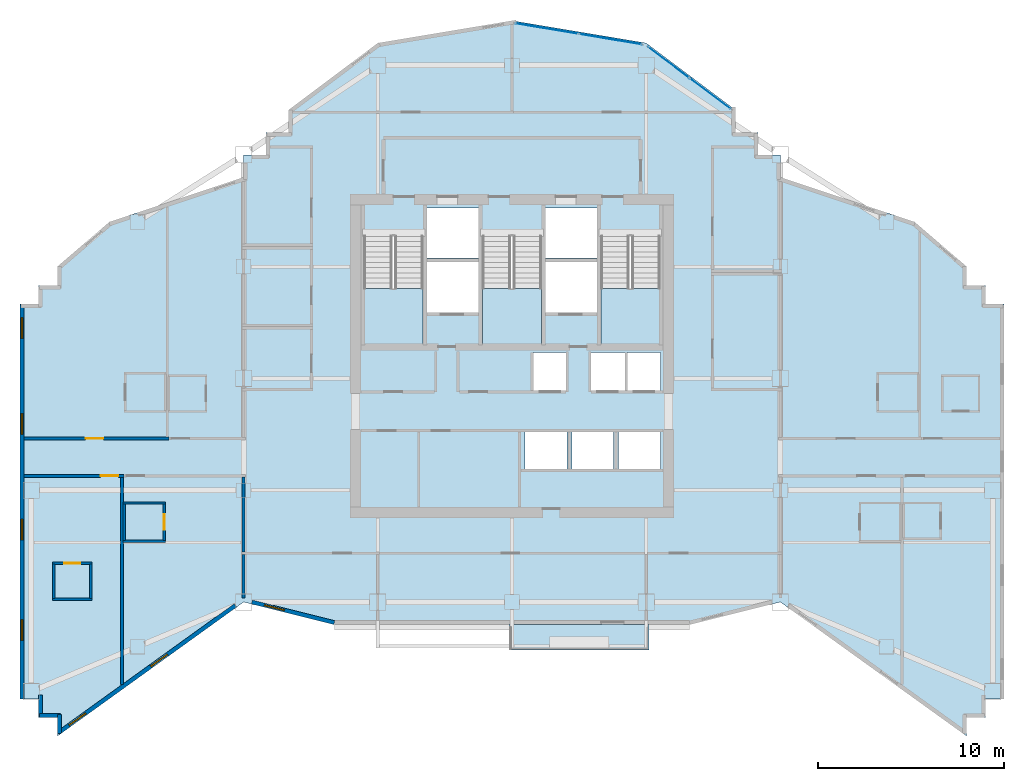
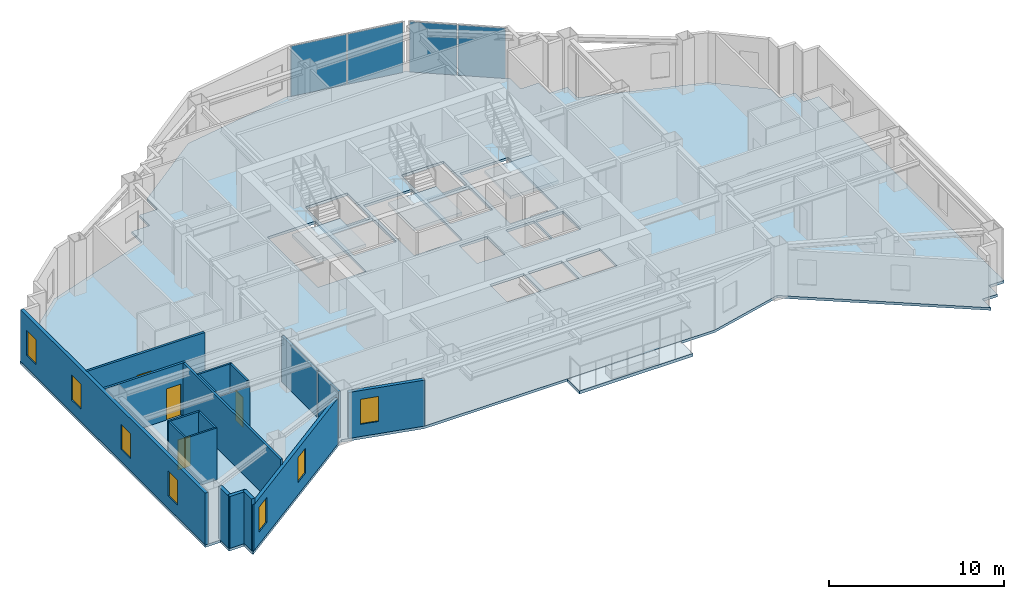
# One storey, part 4 of 10: 19 walls, 7 windows, 5 slabs, 4 doors, 4 plates, 11 openings, 5 elements without a shape of their own.
"""IFC4 building model written with IfcOpenShell, lengths in metres."""

import ifcopenshell
import ifcopenshell.guid

model = None  # the IFC model being written
_history = None  # IfcOwnerHistory: only IFC2X3 demands one
_inside = {}  # id of a spatial element -> (the spatial element, [elements in it])
_under = {}  # id of a project, library or spatial element -> (it, [spatial elements below it])
_declared = {}  # id of a project -> (the project, [libraries it declares])
_typed = {}  # id of a type object -> (the type object, [elements of that type])
_made_of = {}  # id of a material, layer set ... -> (it, [elements and type objects made of it])


def new_model(schema):
    """Start an empty IFC model of exactly this schema.

    Asked for "IFC4X3", IfcOpenShell would pick the latest addendum, in which some entities
    have other attributes; the version numbers below select the first issue.
    IFC2X3 requires an IfcOwnerHistory on every rooted entity: one is made here for all.
    """
    global model, _history
    if schema == "IFC4X3":
        model = ifcopenshell.file(schema_version=(4, 3, 0, 0))
    else:
        model = ifcopenshell.file(schema=schema)
    _inside.clear()
    _under.clear()
    _declared.clear()
    _typed.clear()
    _made_of.clear()
    _history = None
    if model.schema == "IFC2X3":
        org = make("IfcOrganization", Name="unknown")
        user = make(
            "IfcPersonAndOrganization",
            ThePerson=make("IfcPerson", FamilyName="unknown"),
            TheOrganization=org,
        )
        app = make(
            "IfcApplication",
            ApplicationDeveloper=org,
            Version="unknown",
            ApplicationFullName="unknown",
            ApplicationIdentifier="unknown",
        )
        _history = make(
            "IfcOwnerHistory",
            OwningUser=user,
            OwningApplication=app,
            ChangeAction="ADDED",
            CreationDate=0,
        )
    return model


def make(cls, **values):
    """One entity of the class cls with the attributes given. An attribute that is None is left unset."""
    return model.create_entity(
        cls, **{name: value for name, value in values.items() if value is not None}
    )


def rooted(cls, **values):
    """An entity with a GlobalId (a new one), such as an element, a storey or a relation."""
    return make(cls, GlobalId=ifcopenshell.guid.new(), OwnerHistory=_history, **values)


def si_unit(unit_type, name, prefix=None):
    """IfcSIUnit, for example si_unit("LENGTHUNIT", "METRE", prefix="MILLI")."""
    return make("IfcSIUnit", UnitType=unit_type, Prefix=prefix, Name=name)


def assignment(units):
    """IfcUnitAssignment: the units of a project."""
    return None if units is None else make("IfcUnitAssignment", Units=units)


def point(xyz):
    """IfcCartesianPoint."""
    return None if xyz is None else make("IfcCartesianPoint", Coordinates=xyz)


def direction(xyz):
    """IfcDirection."""
    return None if xyz is None else make("IfcDirection", DirectionRatios=xyz)


def frame(location, z_axis=None, x_axis=None):
    """IfcAxis2Placement3D, a coordinate frame: its origin and axes. An axis left out is left unset."""
    return make(
        "IfcAxis2Placement3D",
        Location=point(location),
        Axis=direction(z_axis),
        RefDirection=direction(x_axis),
    )


def frame_2d(location, x_axis=None):
    """IfcAxis2Placement2D, a coordinate frame in the plane: its origin and x axis."""
    return make(
        "IfcAxis2Placement2D", Location=point(location), RefDirection=direction(x_axis)
    )


def origin():
    """The frame at (0, 0, 0) with its axes left unset."""
    return frame((0.0, 0.0, 0.0))


def origin_2d():
    """The frame at (0, 0) in the plane with its x axis left unset."""
    return frame_2d((0.0, 0.0))


def place(relative_to, where):
    """IfcLocalPlacement: puts the frame where relative to a parent placement (None: the world)."""
    return make(
        "IfcLocalPlacement", PlacementRelTo=relative_to, RelativePlacement=where
    )


def context(
    kind, dimensions, precision=None, world=None, true_north=None, identifier=None
):
    """IfcGeometricRepresentationContext, for example the 3D "Model" context."""
    return make(
        "IfcGeometricRepresentationContext",
        ContextIdentifier=identifier,
        ContextType=kind,
        CoordinateSpaceDimension=dimensions,
        Precision=precision,
        WorldCoordinateSystem=world,
        TrueNorth=true_north,
    )


def subcontext(parent, identifier, kind, view, scale=None):
    """IfcGeometricRepresentationSubContext, for example "Body" below "Model"."""
    return make(
        "IfcGeometricRepresentationSubContext",
        ContextIdentifier=identifier,
        ContextType=kind,
        ParentContext=parent,
        TargetScale=scale,
        TargetView=view,
    )


def project(units=None, contexts=None):
    """IfcProject with its units and contexts."""
    return rooted(
        "IfcProject",
        Name="project",
        RepresentationContexts=contexts,
        UnitsInContext=assignment(units),
    )


def spatial(cls, under=None, at=None, **own):
    """A site, building, storey or space (cls), placed at a placement, below another one or the project."""
    s = rooted(cls, ObjectPlacement=at, **own)
    if under is not None:
        _under.setdefault(under.id(), (under, []))[1].append(s)
    return s


def polyline(points):
    """IfcPolyline through the points."""
    return make("IfcPolyline", Points=[point(p) for p in points])


def profile(cls, at=None, kind="AREA", **sizes):
    """A parametric profile (cls). Its sizes go by their IFC names, for example OverallWidth=200.0."""
    return make(cls, ProfileType=kind, Position=at, **sizes)


def rectangle(**sizes):
    """IfcRectangleProfileDef."""
    return profile("IfcRectangleProfileDef", **sizes)


def outline(outer, holes=None, kind="AREA"):
    """IfcArbitraryClosedProfileDef: a profile drawn as a closed curve; with holes, ...WithVoids."""
    if holes is None:
        return make("IfcArbitraryClosedProfileDef", ProfileType=kind, OuterCurve=outer)
    return make(
        "IfcArbitraryProfileDefWithVoids",
        ProfileType=kind,
        OuterCurve=outer,
        InnerCurves=holes,
    )


def extrude(swept, where, along, depth):
    """IfcExtrudedAreaSolid: the profile swept, set in the frame where, extruded along a direction by depth."""
    return make(
        "IfcExtrudedAreaSolid",
        SweptArea=swept,
        Position=where,
        ExtrudedDirection=direction(along),
        Depth=depth,
    )


def shape(context_of_items, identifier, shape_type, items):
    """IfcShapeRepresentation: the items that make up one representation, for example the "Body"."""
    return make(
        "IfcShapeRepresentation",
        ContextOfItems=context_of_items,
        RepresentationIdentifier=identifier,
        RepresentationType=shape_type,
        Items=items,
    )


def material(Name=None, Category=None):
    """IfcMaterial."""
    return make("IfcMaterial", Name=Name, Category=Category)


def layer(
    of_material, thickness, ventilated=None, Name=None, Category=None, Priority=None
):
    """IfcMaterialLayer: one layer of a wall or slab, of a material (None: an air gap)."""
    return make(
        "IfcMaterialLayer",
        Material=of_material,
        LayerThickness=thickness,
        IsVentilated=ventilated,
        Name=Name,
        Category=Category,
        Priority=Priority,
    )


def layer_set(layers, Name=None):
    """IfcMaterialLayerSet."""
    return make("IfcMaterialLayerSet", MaterialLayers=layers, LayerSetName=Name)


def made_of(thing, what):
    """Note that an element or type object is made of a material, layer set ...; save() writes the relation."""
    if what is not None:
        _made_of.setdefault(what.id(), (what, []))[1].append(thing)
    return thing


def type_object(cls, material=None, **own):
    """A type object (cls), such as IfcWallType, which elements share."""
    return made_of(rooted(cls, **own), material)


def element(
    cls,
    number,
    at=None,
    inside=None,
    cuts=None,
    type_object=None,
    material=None,
    context=None,
    identifier="Body",
    shape_type=None,
    held_by="IfcProductDefinitionShape",
    body=None,
    shapes=None,
    **own,
):
    """One element of the class cls, such as IfcWall. Its Tag is "e" and its number.

    at: its placement. inside: the storey or other place that contains it. cuts: it is an
    opening in that element (IfcRelVoidsElement). A single representation is given by context,
    identifier, shape_type and body (its items); several are given by shapes. held_by: the class
    of the entity that holds the representations. save() writes the other relations.
    """
    e = rooted(cls, Tag="e%d" % number, ObjectPlacement=at, **own)
    if body is not None:
        shapes = [shape(context, identifier, shape_type, body)]
    if shapes is not None:
        e.Representation = make(held_by, Representations=shapes)
    if inside is not None:
        _inside.setdefault(inside.id(), (inside, []))[1].append(e)
    if cuts is not None:
        rooted(
            "IfcRelVoidsElement", RelatingBuildingElement=cuts, RelatedOpeningElement=e
        )
    if type_object is not None:
        _typed.setdefault(type_object.id(), (type_object, []))[1].append(e)
    return made_of(e, material)


def fill(opening, filler):
    """IfcRelFillsElement: the door or window that sits in an opening."""
    return rooted(
        "IfcRelFillsElement",
        RelatingOpeningElement=opening,
        RelatedBuildingElement=filler,
    )


def aggregate(whole, parts):
    """IfcRelAggregates: a whole, such as a stair, and the parts it consists of."""
    return rooted("IfcRelAggregates", RelatingObject=whole, RelatedObjects=parts)


def save(model, path):
    """Write the relations noted so far, then the file.

    IfcRelAggregates (storeys below a building ...), IfcRelContainedInSpatialStructure (elements
    in a storey), IfcRelDefinesByType, IfcRelAssociatesMaterial and IfcRelDeclares: one each for
    every whole, place, type object, material and project.
    """
    for whole, parts in _under.values():
        aggregate(whole, parts)
    for where, things in _inside.values():
        rooted(
            "IfcRelContainedInSpatialStructure",
            RelatedElements=things,
            RelatingStructure=where,
        )
    for kind, things in _typed.values():
        rooted("IfcRelDefinesByType", RelatedObjects=things, RelatingType=kind)
    for what, things in _made_of.values():
        rooted("IfcRelAssociatesMaterial", RelatedObjects=things, RelatingMaterial=what)
    for by, libraries in _declared.values():
        rooted("IfcRelDeclares", RelatingContext=by, RelatedDefinitions=libraries)
    model.write(path)


model = new_model("IFC4")

# Units and contexts
model_context = context("Model", 3, precision=1e-05, world=origin(), true_north=direction((0.0, 1.0)))
body_context = subcontext(model_context, "Body", "Model", "MODEL_VIEW")
ifc_project = project(units=[si_unit("LENGTHUNIT", "METRE"), si_unit("AREAUNIT", "SQUARE_METRE"), si_unit("VOLUMEUNIT", "CUBIC_METRE"), si_unit("PLANEANGLEUNIT", "RADIAN"), si_unit("MASSUNIT", "GRAM", prefix="KILO")], contexts=[model_context])

# Site, building, storey
site_placement = place(None, origin())
site = spatial("IfcSite", under=ifc_project, at=site_placement, CompositionType="ELEMENT")
building_placement = place(site_placement, origin())
building = spatial("IfcBuilding", under=site, at=building_placement, Name="Haolan Belvedere Tower", CompositionType="ELEMENT")
storey_placement = place(building_placement, frame((0.0, 0.0, 176.60009765625)))
storey = spatial("IfcBuildingStorey", under=building, at=storey_placement, Name="L44", CompositionType="ELEMENT", Elevation=176.60009765625)

# Curtain wall, plates
ifc_material_1 = material(Name="Anodised champagne-silver aluminium 6063-T6 and Low-E glass", Category="aluminium")
ifc_layer_1 = layer(ifc_material_1, 0.14990234375, Name="Anodised champagne-silver aluminium 6063-T6 and Low-E glass")
ifc_layer_set_1 = layer_set([ifc_layer_1], Name="Anodised champagne-silver aluminium 6063-T6 and Low-E glass")
curtain_wall_type = type_object("IfcCurtainWallType", Name="CW-SYS-04", PredefinedType="NOTDEFINED", material=ifc_layer_set_1)
curtain_wall_1_placement = place(storey_placement, origin())
curtain_wall_1 = element("IfcCurtainWall", 1, at=curtain_wall_1_placement, inside=storey, type_object=curtain_wall_type, Name="L44 CW-SYS-04 ribbon curtain wall 20.1", PredefinedType="NOTDEFINED")
ifc_material_2 = material(Name="Double silver Low-E laminated insulating glass", Category="glass")
ifc_layer_2 = layer(ifc_material_2, 0.02392578125, Name="Double silver Low-E laminated insulating glass")
ifc_layer_set_2 = layer_set([ifc_layer_2], Name="Double silver Low-E laminated insulating glass")
plate_type = type_object("IfcPlateType", Name="CW-SYS-04-PNL", PredefinedType="CURTAIN_PANEL", material=ifc_layer_set_2)
plate_1_placement = place(storey_placement, frame((49.0390625, 48.883056640625, 0.0517578125), z_axis=(0.0, 0.0, 1.0), x_axis=(-0.799997871638, 0.600002837806, 0.0)))
plate_1 = element("IfcPlate", 2, at=plate_1_placement, type_object=plate_type, Name="CW-04 panel 1.1", PredefinedType="CURTAIN_PANEL", context=body_context, shape_type="SweptSolid", body=[
    extrude(rectangle(XDim=2.735107421875, YDim=0.02392578125, at=origin_2d()), origin(), (0.0, 0.0, 1.0), 3.51611328125),
])
plate_2_placement = place(storey_placement, frame((46.806396484375, 50.557861328125, 0.0517578125), z_axis=(0.0, 0.0, 1.0), x_axis=(-0.799997871638, 0.600002837806, 0.0)))
plate_2 = element("IfcPlate", 3, at=plate_2_placement, type_object=plate_type, Name="CW-04 panel 2.1", PredefinedType="CURTAIN_PANEL", context=body_context, shape_type="SweptSolid", body=[
    extrude(rectangle(XDim=2.735107421875, YDim=0.02392578125, at=origin_2d()), origin(), (0.0, 0.0, 1.0), 3.51611328125),
])
aggregate(curtain_wall_1, [plate_1, plate_2])

curtain_wall_2_placement = place(storey_placement, origin())
curtain_wall_2 = element("IfcCurtainWall", 4, at=curtain_wall_2_placement, inside=storey, type_object=curtain_wall_type, Name="L44 CW-SYS-04 ribbon curtain wall 21.1", PredefinedType="NOTDEFINED")
plate_3_placement = place(storey_placement, frame((43.683837890625, 51.807861328125, 0.0517578125), z_axis=(0.0, 0.0, 1.0), x_axis=(-0.98639276122, 0.164405962825, 0.0)))
plate_3 = element("IfcPlate", 5, at=plate_3_placement, type_object=plate_type, Name="CW-04 panel 1.1", PredefinedType="CURTAIN_PANEL", context=body_context, shape_type="SweptSolid", body=[
    extrude(rectangle(XDim=3.403076171875, YDim=0.02392578125, at=origin_2d()), origin(), (0.0, 0.0, 1.0), 3.51611328125),
])
plate_4_placement = place(storey_placement, frame((40.271728515625, 52.37646484375, 0.0517578125), z_axis=(0.0, 0.0, 1.0), x_axis=(-0.98639276122, 0.164405962825, 0.0)))
plate_4 = element("IfcPlate", 6, at=plate_4_placement, type_object=plate_type, Name="CW-04 panel 2.1", PredefinedType="CURTAIN_PANEL", context=body_context, shape_type="SweptSolid", body=[
    extrude(rectangle(XDim=3.403076171875, YDim=0.02392578125, at=origin_2d()), origin(), (0.0, 0.0, 1.0), 3.51611328125),
])
aggregate(curtain_wall_2, [plate_3, plate_4])

# Slabs
ifc_material_3 = material(Name="Concrete C40/50", Category="concrete")
ifc_layer_3 = layer(ifc_material_3, 0.2099609375, Name="Concrete C40/50")
ifc_layer_set_3 = layer_set([ifc_layer_3], Name="Concrete C40/50")
slab_type_1 = type_object("IfcSlabType", Name="SL-BAL-210", PredefinedType="FLOOR", material=ifc_layer_set_3)
slab_1_placement = place(storey_placement, frame((0.0, 0.0, -0.22998046875)))
element("IfcSlab", 7, at=slab_1_placement, inside=storey, type_object=slab_type_1, Name="L44 structural tree-planter balcony slab BAL-L44-S1", PredefinedType="FLOOR", context=body_context, shape_type="SweptSolid", body=[
    extrude(outline(polyline([(38.25, 19.02001953125), (45.75, 19.02001953125), (45.75, 20.39990234375), (38.25, 20.39990234375), (38.25, 19.02001953125)])), origin(), (0.0, 0.0, 1.0), 0.2099609375),
])
ifc_layer_4 = layer(ifc_material_3, 0.179931640625, Name="Concrete C40/50")
ifc_layer_set_4 = layer_set([ifc_layer_4], Name="Concrete C40/50")
slab_type_2 = type_object("IfcSlabType", Name="SL-FLR-180", PredefinedType="FLOOR", material=ifc_layer_set_4)
slab_2_placement = place(storey_placement, frame((0.0, 0.0, -0.18017578125)))
element("IfcSlab", 8, at=slab_2_placement, inside=storey, type_object=slab_type_2, Name="L44 structural floor slab", PredefinedType="FLOOR", context=body_context, shape_type="SweptSolid", body=[
    extrude(outline(polyline([(24.0, 21.60009765625), (28.800048828125, 20.39990234375), (48.0, 20.39990234375), (52.800048828125, 21.60009765625), (62.800048828125, 14.39990234375), (62.800048828125, 15.39990234375), (63.800048828125, 15.39990234375), (63.800048828125, 16.39990234375), (64.800048828125, 16.39990234375), (64.800048828125, 37.60009765625), (63.800048828125, 37.60009765625), (63.800048828125, 38.60009765625), (62.800048828125, 38.60009765625), (62.800048828125, 39.60009765625), (60.0, 42.0), (52.800048828125, 44.39990234375), (52.800048828125, 45.60009765625), (51.60009765625, 45.60009765625), (51.60009765625, 46.800048828125), (50.39990234375, 46.800048828125), (50.39990234375, 48.0), (45.60009765625, 51.60009765625), (38.39990234375, 52.800048828125), (31.199951171875, 51.60009765625), (26.39990234375, 48.0), (26.39990234375, 46.800048828125), (25.199951171875, 46.800048828125), (25.199951171875, 45.60009765625), (24.0, 45.60009765625), (24.0, 44.39990234375), (16.800048828125, 42.0), (14.0, 39.60009765625), (14.0, 38.60009765625), (13.0, 38.60009765625), (13.0, 37.60009765625), (12.0, 37.60009765625), (12.0, 16.800048828125), (12.0, 16.39990234375), (13.0, 16.39990234375), (13.0, 15.39990234375), (14.0, 15.39990234375), (14.0, 14.39990234375), (24.0, 21.60009765625)]), holes=[polyline([(30.449951171875, 41.22998046875), (30.449951171875, 35.449951171875), (33.6298828125, 35.449951171875), (33.6298828125, 41.22998046875), (30.449951171875, 41.22998046875)]), polyline([(36.81005859375, 41.22998046875), (36.81005859375, 35.449951171875), (39.989990234375, 35.449951171875), (39.989990234375, 41.22998046875), (36.81005859375, 41.22998046875)]), polyline([(43.169921875, 41.22998046875), (43.169921875, 35.449951171875), (46.35009765625, 35.449951171875), (46.35009765625, 41.22998046875), (43.169921875, 41.22998046875)]), polyline([(33.830078125, 40.050048828125), (36.610107421875, 40.050048828125), (36.610107421875, 42.75), (33.830078125, 42.75), (33.830078125, 40.050048828125)]), polyline([(33.830078125, 37.14990234375), (36.610107421875, 37.14990234375), (36.610107421875, 39.85009765625), (33.830078125, 39.85009765625), (33.830078125, 37.14990234375)]), polyline([(40.18994140625, 40.050048828125), (42.969970703125, 40.050048828125), (42.969970703125, 42.75), (40.18994140625, 42.75), (40.18994140625, 40.050048828125)]), polyline([(40.18994140625, 37.14990234375), (42.969970703125, 37.14990234375), (42.969970703125, 39.85009765625), (40.18994140625, 39.85009765625), (40.18994140625, 37.14990234375)]), polyline([(39.5400390625, 32.949951171875), (41.389892578125, 32.949951171875), (41.389892578125, 35.0), (39.5400390625, 35.0), (39.5400390625, 32.949951171875)]), polyline([(42.6201171875, 32.949951171875), (44.469970703125, 32.949951171875), (44.469970703125, 35.0), (42.6201171875, 35.0), (42.6201171875, 32.949951171875)]), polyline([(44.580078125, 32.949951171875), (46.3798828125, 32.949951171875), (46.3798828125, 35.0), (44.580078125, 35.0), (44.580078125, 32.949951171875)]), polyline([(39.10009765625, 28.75), (41.340087890625, 28.75), (41.340087890625, 30.75), (39.10009765625, 30.75), (39.10009765625, 28.75)]), polyline([(41.610107421875, 28.75), (43.85009765625, 28.75), (43.85009765625, 30.75), (41.610107421875, 30.75), (41.610107421875, 28.75)]), polyline([(44.1201171875, 28.75), (46.360107421875, 28.75), (46.360107421875, 30.75), (44.1201171875, 30.75), (44.1201171875, 28.75)])]), origin(), (0.0, 0.0, 1.0), 0.18017578125),
])

# Stair, slab
stair_type = type_object("IfcStairType", Name="STR-DL-22R-173", PredefinedType="HALF_TURN_STAIR", material=ifc_material_3)
stair_1_placement = place(storey_placement, origin())
stair_1 = element("IfcStair", 9, at=stair_1_placement, inside=storey, type_object=stair_type, Name="L44 Smokeproof Core Exit Stair ST1", PredefinedType="HALF_TURN_STAIR")
ifc_layer_5 = layer(ifc_material_3, 0.199951171875, Name="Concrete C40/50")
ifc_layer_set_5 = layer_set([ifc_layer_5], Name="Concrete C40/50")
slab_type_3 = type_object("IfcSlabType", Name="SL-LAND-200", PredefinedType="LANDING", material=ifc_layer_set_5)
slab_3_placement = place(storey_placement, frame((0.0, 0.0, 1.699951171875)))
slab_3 = element("IfcSlab", 10, at=slab_3_placement, type_object=slab_type_3, Name="ST1 landing 1", PredefinedType="LANDING", context=body_context, shape_type="SweptSolid", body=[
    extrude(outline(polyline([(30.449951171875, 38.429931640625), (30.449951171875, 35.449951171875), (33.6298828125, 35.449951171875), (33.6298828125, 38.429931640625), (30.449951171875, 38.429931640625)])), origin(), (0.0, 0.0, 1.0), 0.199951171875),
])
aggregate(stair_1, [slab_3])

stair_2_placement = place(storey_placement, origin())
stair_2 = element("IfcStair", 11, at=stair_2_placement, inside=storey, type_object=stair_type, Name="L44 Smokeproof Core Exit Stair ST3", PredefinedType="HALF_TURN_STAIR")
slab_4_placement = place(storey_placement, frame((0.0, 0.0, 1.699951171875)))
slab_4 = element("IfcSlab", 12, at=slab_4_placement, type_object=slab_type_3, Name="ST3 landing 1", PredefinedType="LANDING", context=body_context, shape_type="SweptSolid", body=[
    extrude(outline(polyline([(36.81005859375, 38.429931640625), (36.81005859375, 35.449951171875), (39.989990234375, 35.449951171875), (39.989990234375, 38.429931640625), (36.81005859375, 38.429931640625)])), origin(), (0.0, 0.0, 1.0), 0.199951171875),
])
aggregate(stair_2, [slab_4])

stair_3_placement = place(storey_placement, origin())
stair_3 = element("IfcStair", 13, at=stair_3_placement, inside=storey, type_object=stair_type, Name="L44 Smokeproof Core Exit Stair ST2", PredefinedType="HALF_TURN_STAIR")
slab_5_placement = place(storey_placement, frame((0.0, 0.0, 1.699951171875)))
slab_5 = element("IfcSlab", 14, at=slab_5_placement, type_object=slab_type_3, Name="ST2 landing 1", PredefinedType="LANDING", context=body_context, shape_type="SweptSolid", body=[
    extrude(outline(polyline([(43.169921875, 38.429931640625), (43.169921875, 35.449951171875), (46.35009765625, 35.449951171875), (46.35009765625, 38.429931640625), (43.169921875, 38.429931640625)])), origin(), (0.0, 0.0, 1.0), 0.199951171875),
])
aggregate(stair_3, [slab_5])

# Wall, openings, windows
ifc_material_4 = material(Name="Precast concrete C40/50", Category="concrete")
ifc_layer_6 = layer(ifc_material_4, 0.219970703125, Name="Precast concrete C40/50")
ifc_layer_set_6 = layer_set([ifc_layer_6], Name="Precast concrete C40/50")
wall_type_1 = type_object("IfcWallType", Name="WL-EXT-220", PredefinedType="SOLIDWALL", material=ifc_layer_set_6)
wall_1_placement = place(storey_placement, frame((12.110107421875, 37.544921875, 0.0), z_axis=(0.0, 0.0, 1.0), x_axis=(0.0, -1.0, 0.0)))
wall_1 = element("IfcWall", 15, at=wall_1_placement, inside=storey, type_object=wall_type_1, Name="L44 pale-metal exterior spandrel wall 35.1", PredefinedType="SOLIDWALL", context=body_context, shape_type="SweptSolid", body=[
    extrude(rectangle(XDim=21.14501953125, YDim=0.219970703125, at=frame_2d((10.572509765625, 0.0))), origin(), (0.0, 0.0, 1.0), 3.619873046875),
])
opening_1_placement = place(wall_1_placement, frame((0.699951171875, 0.0, 0.85009765625)))
opening_1 = element("IfcOpeningElement", 16, at=opening_1_placement, cuts=wall_1, Name="Opening W-03", PredefinedType="OPENING", context=body_context, shape_type="SweptSolid", body=[
    extrude(rectangle(XDim=1.10009765625, YDim=1.75, at=frame_2d((0.550048828125, 0.875))), frame((0.0, 0.119873046875, 0.0), z_axis=(0.0, -1.0, 0.0), x_axis=(1.0, 0.0, 0.0)), (0.0, 0.0, 1.0), 0.239990234375),
])
opening_2_placement = place(wall_1_placement, frame((5.830078125, 0.0, 0.85009765625)))
opening_2 = element("IfcOpeningElement", 17, at=opening_2_placement, cuts=wall_1, Name="Opening W-03", PredefinedType="OPENING", context=body_context, shape_type="SweptSolid", body=[
    extrude(rectangle(XDim=1.10009765625, YDim=1.75, at=frame_2d((0.550048828125, 0.875))), frame((0.0, 0.119873046875, 0.0), z_axis=(0.0, -1.0, 0.0), x_axis=(1.0, 0.0, 0.0)), (0.0, 0.0, 1.0), 0.239990234375),
])
opening_3_placement = place(wall_1_placement, frame((11.5, 0.0, 0.85009765625)))
opening_3 = element("IfcOpeningElement", 18, at=opening_3_placement, cuts=wall_1, Name="Opening W-03", PredefinedType="OPENING", context=body_context, shape_type="SweptSolid", body=[
    extrude(rectangle(XDim=1.10009765625, YDim=1.75, at=frame_2d((0.550048828125, 0.875))), frame((0.0, 0.119873046875, 0.0), z_axis=(0.0, -1.0, 0.0), x_axis=(1.0, 0.0, 0.0)), (0.0, 0.0, 1.0), 0.239990234375),
])
opening_4_placement = place(wall_1_placement, frame((16.89990234375, 0.0, 0.85009765625)))
opening_4 = element("IfcOpeningElement", 19, at=opening_4_placement, cuts=wall_1, Name="Opening W-03", PredefinedType="OPENING", context=body_context, shape_type="SweptSolid", body=[
    extrude(rectangle(XDim=1.10009765625, YDim=1.75, at=frame_2d((0.550048828125, 0.875))), frame((0.0, 0.119873046875, 0.0), z_axis=(0.0, -1.0, 0.0), x_axis=(1.0, 0.0, 0.0)), (0.0, 0.0, 1.0), 0.239990234375),
])
ifc_material_5 = material(Name="Anodised aluminium 6063-T6 and Low-E glass", Category="aluminium")
window_type = type_object("IfcWindowType", Name="WN-DECO-Z3", PartitioningType="SINGLE_PANEL", PredefinedType="WINDOW", material=ifc_material_5)
window_1_placement = place(opening_1_placement, origin())
window_1 = element("IfcWindow", 20, at=window_1_placement, inside=storey, type_object=window_type, Name="L44 Art Deco chevron window 1", OverallHeight=1.75, OverallWidth=1.10009765625, PartitioningType="SINGLE_PANEL", PredefinedType="WINDOW", context=body_context, shape_type="SweptSolid", body=[
    extrude(rectangle(XDim=1.10009765625, YDim=1.75, at=frame_2d((0.550048828125, 0.875))), frame((0.0, 0.030029296875, 0.0), z_axis=(0.0, -1.0, 0.0), x_axis=(1.0, 0.0, 0.0)), (0.0, 0.0, 1.0), 0.06005859375),
])
fill(opening_1, window_1)
window_2_placement = place(opening_2_placement, origin())
window_2 = element("IfcWindow", 21, at=window_2_placement, inside=storey, type_object=window_type, Name="L44 Art Deco chevron window 2", OverallHeight=1.75, OverallWidth=1.10009765625, PartitioningType="SINGLE_PANEL", PredefinedType="WINDOW", context=body_context, shape_type="SweptSolid", body=[
    extrude(rectangle(XDim=1.10009765625, YDim=1.75, at=frame_2d((0.550048828125, 0.875))), frame((0.0, 0.030029296875, 0.0), z_axis=(0.0, -1.0, 0.0), x_axis=(1.0, 0.0, 0.0)), (0.0, 0.0, 1.0), 0.06005859375),
])
fill(opening_2, window_2)
window_3_placement = place(opening_3_placement, origin())
window_3 = element("IfcWindow", 22, at=window_3_placement, inside=storey, type_object=window_type, Name="L44 Art Deco chevron window 3", OverallHeight=1.75, OverallWidth=1.10009765625, PartitioningType="SINGLE_PANEL", PredefinedType="WINDOW", context=body_context, shape_type="SweptSolid", body=[
    extrude(rectangle(XDim=1.10009765625, YDim=1.75, at=frame_2d((0.550048828125, 0.875))), frame((0.0, 0.030029296875, 0.0), z_axis=(0.0, -1.0, 0.0), x_axis=(1.0, 0.0, 0.0)), (0.0, 0.0, 1.0), 0.06005859375),
])
fill(opening_3, window_3)
window_4_placement = place(opening_4_placement, origin())
window_4 = element("IfcWindow", 23, at=window_4_placement, inside=storey, type_object=window_type, Name="L44 Art Deco chevron window 4", OverallHeight=1.75, OverallWidth=1.10009765625, PartitioningType="SINGLE_PANEL", PredefinedType="WINDOW", context=body_context, shape_type="SweptSolid", body=[
    extrude(rectangle(XDim=1.10009765625, YDim=1.75, at=frame_2d((0.550048828125, 0.875))), frame((0.0, 0.030029296875, 0.0), z_axis=(0.0, -1.0, 0.0), x_axis=(1.0, 0.0, 0.0)), (0.0, 0.0, 1.0), 0.06005859375),
])
fill(opening_4, window_4)

# Walls
wall_2_placement = place(storey_placement, frame((13.110107421875, 16.6201171875, 0.0), z_axis=(0.0, 0.0, 1.0), x_axis=(0.0, -1.0, 0.0)))
element("IfcWall", 24, at=wall_2_placement, inside=storey, type_object=wall_type_1, Name="L44 pale-metal exterior spandrel wall 37.1", PredefinedType="SOLIDWALL", context=body_context, shape_type="SweptSolid", body=[
    extrude(rectangle(XDim=1.1650390625, YDim=0.219970703125, at=frame_2d((0.58251953125, 0.0))), origin(), (0.0, 0.0, 1.0), 3.619873046875),
])
wall_3_placement = place(storey_placement, frame((13.054931640625, 15.510009765625, 0.0), z_axis=(0.0, 0.0, 1.0), x_axis=(1.0, 0.0, 0.0)))
element("IfcWall", 25, at=wall_3_placement, inside=storey, type_object=wall_type_1, Name="L44 pale-metal exterior spandrel wall 38.1", PredefinedType="SOLIDWALL", context=body_context, shape_type="SweptSolid", body=[
    extrude(rectangle(XDim=1.110107421875, YDim=0.219970703125, at=frame_2d((0.55517578125, 0.0))), origin(), (0.0, 0.0, 1.0), 3.619873046875),
])
wall_4_placement = place(storey_placement, frame((14.110107421875, 15.56494140625, 0.0), z_axis=(0.0, 0.0, 1.0), x_axis=(0.0, -1.0, 0.0)))
element("IfcWall", 26, at=wall_4_placement, inside=storey, type_object=wall_type_1, Name="L44 pale-metal exterior spandrel wall 39.1", PredefinedType="SOLIDWALL", context=body_context, shape_type="SweptSolid", body=[
    extrude(rectangle(XDim=1.005126953125, YDim=0.219970703125, at=frame_2d((0.50244140625, 0.0))), origin(), (0.0, 0.0, 1.0), 3.619873046875),
])

# Wall, openings, windows
wall_5_placement = place(storey_placement, frame((14.0654296875, 14.58251953125, 0.0), z_axis=(0.0, 0.0, 1.0), x_axis=(0.811534737332, 0.58430417601, 0.0)))
wall_5 = element("IfcWall", 27, at=wall_5_placement, inside=storey, type_object=wall_type_1, Name="L44 pale-metal exterior spandrel wall 40.1", PredefinedType="SOLIDWALL", context=body_context, shape_type="SweptSolid", body=[
    extrude(rectangle(XDim=11.697265625, YDim=0.219970703125, at=frame_2d((5.8486328125, 0.0))), origin(), (0.0, 0.0, 1.0), 3.21484375),
])
opening_5_placement = place(wall_5_placement, frame((0.699951171875, 0.0, 0.85009765625)))
opening_5 = element("IfcOpeningElement", 28, at=opening_5_placement, cuts=wall_5, Name="Opening W-03", PredefinedType="OPENING", context=body_context, shape_type="SweptSolid", body=[
    extrude(rectangle(XDim=1.10009765625, YDim=1.75, at=frame_2d((0.550048828125, 0.875))), frame((0.0, 0.119873046875, 0.0), z_axis=(0.0, -1.0, 0.0), x_axis=(1.0, 0.0, 0.0)), (0.0, 0.0, 1.0), 0.239990234375),
])
opening_6_placement = place(wall_5_placement, frame((6.10009765625, 0.0, 0.85009765625)))
opening_6 = element("IfcOpeningElement", 29, at=opening_6_placement, cuts=wall_5, Name="Opening W-03", PredefinedType="OPENING", context=body_context, shape_type="SweptSolid", body=[
    extrude(rectangle(XDim=1.10009765625, YDim=1.75, at=frame_2d((0.550048828125, 0.875))), frame((0.0, 0.119873046875, 0.0), z_axis=(0.0, -1.0, 0.0), x_axis=(1.0, 0.0, 0.0)), (0.0, 0.0, 1.0), 0.239990234375),
])
window_5_placement = place(opening_5_placement, origin())
window_5 = element("IfcWindow", 30, at=window_5_placement, inside=storey, type_object=window_type, Name="L44 Art Deco chevron window 1", OverallHeight=1.75, OverallWidth=1.10009765625, PartitioningType="SINGLE_PANEL", PredefinedType="WINDOW", context=body_context, shape_type="SweptSolid", body=[
    extrude(rectangle(XDim=1.10009765625, YDim=1.75, at=frame_2d((0.550048828125, 0.875))), frame((0.0, 0.030029296875, 0.0), z_axis=(0.0, -1.0, 0.0), x_axis=(1.0, 0.0, 0.0)), (0.0, 0.0, 1.0), 0.06005859375),
])
fill(opening_5, window_5)
window_6_placement = place(opening_6_placement, origin())
window_6 = element("IfcWindow", 31, at=window_6_placement, inside=storey, type_object=window_type, Name="L44 Art Deco chevron window 2", OverallHeight=1.75, OverallWidth=1.10009765625, PartitioningType="SINGLE_PANEL", PredefinedType="WINDOW", context=body_context, shape_type="SweptSolid", body=[
    extrude(rectangle(XDim=1.10009765625, YDim=1.75, at=frame_2d((0.550048828125, 0.875))), frame((0.0, 0.030029296875, 0.0), z_axis=(0.0, -1.0, 0.0), x_axis=(1.0, 0.0, 0.0)), (0.0, 0.0, 1.0), 0.06005859375),
])
fill(opening_6, window_6)

# Wall, opening, window
wall_6_placement = place(storey_placement, frame((24.44189453125, 21.602783203125, 0.0), z_axis=(0.0, 0.0, 1.0), x_axis=(0.970145648609, -0.242523030833, 0.0)))
wall_6 = element("IfcWall", 32, at=wall_6_placement, inside=storey, type_object=wall_type_1, Name="L44 pale-metal exterior spandrel wall 41.1", PredefinedType="SOLIDWALL", context=body_context, shape_type="SweptSolid", body=[
    extrude(rectangle(XDim=4.561279296875, YDim=0.219970703125, at=frame_2d((2.28076171875, 0.0))), origin(), (0.0, 0.0, 1.0), 3.21484375),
])
opening_7_placement = place(wall_6_placement, frame((0.699951171875, 0.0, 0.85009765625)))
opening_7 = element("IfcOpeningElement", 33, at=opening_7_placement, cuts=wall_6, Name="Opening W-03", PredefinedType="OPENING", context=body_context, shape_type="SweptSolid", body=[
    extrude(rectangle(XDim=1.10009765625, YDim=1.75, at=frame_2d((0.550048828125, 0.875))), frame((0.0, 0.119873046875, 0.0), z_axis=(0.0, -1.0, 0.0), x_axis=(1.0, 0.0, 0.0)), (0.0, 0.0, 1.0), 0.239990234375),
])
window_7_placement = place(opening_7_placement, origin())
window_7 = element("IfcWindow", 34, at=window_7_placement, inside=storey, type_object=window_type, Name="L44 Art Deco chevron window 1", OverallHeight=1.75, OverallWidth=1.10009765625, PartitioningType="SINGLE_PANEL", PredefinedType="WINDOW", context=body_context, shape_type="SweptSolid", body=[
    extrude(rectangle(XDim=1.10009765625, YDim=1.75, at=frame_2d((0.550048828125, 0.875))), frame((0.0, 0.030029296875, 0.0), z_axis=(0.0, -1.0, 0.0), x_axis=(1.0, 0.0, 0.0)), (0.0, 0.0, 1.0), 0.06005859375),
])
fill(opening_7, window_7)

# Wall
ifc_material_6 = material(Name="Double gypsum acoustic stud partition", Category="masonry")
ifc_layer_7 = layer(ifc_material_6, 0.14990234375, Name="Double gypsum acoustic stud partition")
ifc_layer_set_7 = layer_set([ifc_layer_7], Name="Double gypsum acoustic stud partition")
wall_type_2 = type_object("IfcWallType", Name="WL-PART-150", PredefinedType="PARTITIONING", material=ifc_layer_set_7)
wall_7_placement = place(storey_placement, frame((24.0, 21.818603515625, 0.0), z_axis=(0.0, 0.0, 1.0), x_axis=(0.0, 1.0, 0.0)))
element("IfcWall", 35, at=wall_7_placement, inside=storey, type_object=wall_type_2, Name="L44 interior partition IW-L44-KS1-W", PredefinedType="PARTITIONING", context=body_context, shape_type="SweptSolid", body=[
    extrude(rectangle(XDim=2.34130859375, YDim=0.14990234375, at=frame_2d((1.170654296875, 0.0))), origin(), (0.0, 0.0, 1.0), 3.21484375),
])

# Wall, opening, door
wall_8_placement = place(storey_placement, frame((12.2119140625, 30.3798828125, 0.0), z_axis=(0.0, 0.0, 1.0), x_axis=(1.0, 0.0, 0.0)))
wall_8 = element("IfcWall", 36, at=wall_8_placement, inside=storey, type_object=wall_type_2, Name="L44 interior partition IW-L44-T2N1-S", PredefinedType="PARTITIONING", context=body_context, shape_type="SweptSolid", body=[
    extrude(rectangle(XDim=7.7880859375, YDim=0.14990234375, at=frame_2d((3.89404296875, 0.0))), origin(), (0.0, 0.0, 1.0), 3.619873046875),
])
opening_8_placement = place(wall_8_placement, frame((3.30810546875, 0.0, 0.0)))
opening_8 = element("IfcOpeningElement", 37, at=opening_8_placement, cuts=wall_8, Name="Opening ID-01", PredefinedType="OPENING", context=body_context, shape_type="SweptSolid", body=[
    extrude(rectangle(XDim=0.949951171875, YDim=2.179931640625, at=frame_2d((0.47509765625, 1.08984375))), frame((0.0, 0.0849609375, 0.0), z_axis=(0.0, -1.0, 0.0), x_axis=(1.0, 0.0, 0.0)), (0.0, 0.0, 1.0), 0.169921875),
])
ifc_material_7 = material(Name="Acoustic walnut veneer fire-rated timber", Category="wood")
door_type_1 = type_object("IfcDoorType", Name="DR-SUITE-950", OperationType="NOTDEFINED", PredefinedType="DOOR", material=ifc_material_7)
door_1_placement = place(opening_8_placement, origin())
door_1 = element("IfcDoor", 38, at=door_1_placement, inside=storey, type_object=door_type_1, Name="L44 door ID-L44-T2N1-ENT", OperationType="SINGLE_SWING_LEFT", OverallHeight=2.179931640625, OverallWidth=0.949951171875, PredefinedType="DOOR", context=body_context, shape_type="SweptSolid", body=[
    extrude(rectangle(XDim=0.949951171875, YDim=2.179931640625, at=frame_2d((0.47509765625, 1.08984375))), frame((0.0, 0.02490234375, 0.0), z_axis=(0.0, -1.0, 0.0), x_axis=(1.0, 0.0, 0.0)), (0.0, 0.0, 1.0), 0.050048828125),
])
fill(opening_8, door_1)

wall_9_placement = place(storey_placement, frame((12.2119140625, 28.3701171875, 0.0), z_axis=(0.0, 0.0, 1.0), x_axis=(1.0, 0.0, 0.0)))
wall_9 = element("IfcWall", 39, at=wall_9_placement, inside=storey, type_object=wall_type_2, Name="L44 interior partition IW-L44-T2S1-N", PredefinedType="PARTITIONING", context=body_context, shape_type="SweptSolid", body=[
    extrude(rectangle(XDim=5.3681640625, YDim=0.14990234375, at=frame_2d((2.68408203125, 0.0))), origin(), (0.0, 0.0, 1.0), 3.619873046875),
])
opening_9_placement = place(wall_9_placement, frame((5.0615234375, 0.0, 0.0), z_axis=(0.0, 0.0, 1.0), x_axis=(-1.0, 0.0, 0.0)))
opening_9 = element("IfcOpeningElement", 40, at=opening_9_placement, cuts=wall_9, Name="Opening ID-01", PredefinedType="OPENING", context=body_context, shape_type="SweptSolid", body=[
    extrude(rectangle(XDim=0.949951171875, YDim=2.179931640625, at=frame_2d((0.47509765625, 1.08984375))), frame((0.0, 0.0849609375, 0.0), z_axis=(0.0, -1.0, 0.0), x_axis=(1.0, 0.0, 0.0)), (0.0, 0.0, 1.0), 0.169921875),
])
door_2_placement = place(opening_9_placement, origin())
door_2 = element("IfcDoor", 41, at=door_2_placement, inside=storey, type_object=door_type_1, Name="L44 door ID-L44-T2S1-ENT", OperationType="SINGLE_SWING_LEFT", OverallHeight=2.179931640625, OverallWidth=0.949951171875, PredefinedType="DOOR", context=body_context, shape_type="SweptSolid", body=[
    extrude(rectangle(XDim=0.949951171875, YDim=2.179931640625, at=frame_2d((0.47509765625, 1.08984375))), frame((0.0, 0.02490234375, 0.0), z_axis=(0.0, -1.0, 0.0), x_axis=(1.0, 0.0, 0.0)), (0.0, 0.0, 1.0), 0.050048828125),
])
fill(opening_9, door_2)

# Walls
wall_10_placement = place(storey_placement, frame((17.47998046875, 17.166748046875, 0.0), z_axis=(0.0, 0.0, 1.0), x_axis=(0.0, 1.0, 0.0)))
element("IfcWall", 42, at=wall_10_placement, inside=storey, type_object=wall_type_2, Name="L44 interior partition IW-L44-T2S1-E", PredefinedType="PARTITIONING", context=body_context, shape_type="SweptSolid", body=[
    extrude(rectangle(XDim=11.143310546875, YDim=0.14990234375, at=frame_2d((5.57177734375, 0.0))), origin(), (0.0, 0.0, 1.0), 3.619873046875),
])
wall_11_placement = place(storey_placement, frame((24.0, 24.280029296875, 0.0), z_axis=(0.0, 0.0, 1.0), x_axis=(0.0, 1.0, 0.0)))
element("IfcWall", 43, at=wall_11_placement, inside=storey, type_object=wall_type_2, Name="L44 interior partition IW-L44-T2S2-E", PredefinedType="PARTITIONING", context=body_context, shape_type="SweptSolid", body=[
    extrude(rectangle(XDim=4.030029296875, YDim=0.14990234375, at=frame_2d((2.01513671875, 0.0))), origin(), (0.0, 0.0, 1.0), 3.21484375),
])

# Wall, opening, door
ifc_material_8 = material(Name="Moisture-resistant gypsum tile partition", Category="masonry")
ifc_layer_8 = layer(ifc_material_8, 0.1201171875, Name="Moisture-resistant gypsum tile partition")
ifc_layer_set_8 = layer_set([ifc_layer_8], Name="Moisture-resistant gypsum tile partition")
wall_type_3 = type_object("IfcWallType", Name="WL-WET-120", PredefinedType="PARTITIONING", material=ifc_layer_set_8)
wall_12_placement = place(storey_placement, frame((13.7548828125, 23.677978515625, 0.0), z_axis=(0.0, 0.0, 1.0), x_axis=(1.0, 0.0, 0.0)))
wall_12 = element("IfcWall", 44, at=wall_12_placement, inside=storey, type_object=wall_type_3, Name="L44 interior partition IW-L44-T2S1-BN", PredefinedType="PARTITIONING", context=body_context, shape_type="SweptSolid", body=[
    extrude(rectangle(XDim=2.10009765625, YDim=0.1201171875, at=frame_2d((1.050048828125, 0.0))), origin(), (0.0, 0.0, 1.0), 3.619873046875),
])
opening_10_placement = place(wall_12_placement, frame((1.47509765625, 0.0, 0.0), z_axis=(0.0, 0.0, 1.0), x_axis=(-1.0, 0.0, 0.0)))
opening_10 = element("IfcOpeningElement", 45, at=opening_10_placement, cuts=wall_12, Name="Opening ID-05", PredefinedType="OPENING", context=body_context, shape_type="SweptSolid", body=[
    extrude(rectangle(XDim=0.85009765625, YDim=2.10009765625, at=frame_2d((0.425048828125, 1.050048828125))), frame((0.0, 0.070068359375, 0.0), z_axis=(0.0, -1.0, 0.0), x_axis=(1.0, 0.0, 0.0)), (0.0, 0.0, 1.0), 0.14013671875),
])
ifc_material_9 = material(Name="Moisture-resistant lacquered timber", Category="wood")
door_type_2 = type_object("IfcDoorType", Name="DR-BATH-850", OperationType="NOTDEFINED", PredefinedType="DOOR", material=ifc_material_9)
door_3_placement = place(opening_10_placement, origin())
door_3 = element("IfcDoor", 46, at=door_3_placement, inside=storey, type_object=door_type_2, Name="L44 door ID-L44-T2S1-BATH", OperationType="SINGLE_SWING_RIGHT", OverallHeight=2.10009765625, OverallWidth=0.85009765625, PredefinedType="DOOR", context=body_context, shape_type="SweptSolid", body=[
    extrude(rectangle(XDim=0.85009765625, YDim=2.10009765625, at=frame_2d((0.425048828125, 1.050048828125))), frame((0.0, 0.02490234375, 0.0), z_axis=(0.0, -1.0, 0.0), x_axis=(1.0, 0.0, 0.0)), (0.0, 0.0, 1.0), 0.050048828125),
])
fill(opening_10, door_3)

# Walls
wall_13_placement = place(storey_placement, frame((13.7548828125, 21.758056640625, 0.0), z_axis=(0.0, 0.0, 1.0), x_axis=(1.0, 0.0, 0.0)))
element("IfcWall", 47, at=wall_13_placement, inside=storey, type_object=wall_type_3, Name="L44 interior partition IW-L44-T2S1-BS", PredefinedType="PARTITIONING", context=body_context, shape_type="SweptSolid", body=[
    extrude(rectangle(XDim=2.10009765625, YDim=0.1201171875, at=frame_2d((1.050048828125, 0.0))), origin(), (0.0, 0.0, 1.0), 3.619873046875),
])
for number, where, z_axis, x_axis, name in (
    (48, (13.81494140625, 21.802978515625, 0.0), (0.0, 0.0, 1.0), (0.0, 1.0, 0.0), "L44 interior partition IW-L44-T2S1-BW"),
    (49, (15.794921875, 21.802978515625, 0.0), (0.0, 0.0, 1.0), (0.0, 1.0, 0.0), "L44 interior partition IW-L44-T2S1-BE"),
):
    element("IfcWall", number, at=place(storey_placement, frame(where, z_axis=z_axis, x_axis=x_axis)), inside=storey, type_object=wall_type_3, Name=name, PredefinedType="PARTITIONING", context=body_context, shape_type="SweptSolid", body=[
        extrude(rectangle(XDim=1.830078125, YDim=0.1201171875, at=frame_2d((0.9150390625, 0.0))), origin(), (0.0, 0.0, 1.0), 3.619873046875),
    ])
wall_14_placement = place(storey_placement, frame((17.5400390625, 26.919921875, 0.0), z_axis=(0.0, 0.0, 1.0), x_axis=(1.0, 0.0, 0.0)))
element("IfcWall", 50, at=wall_14_placement, inside=storey, type_object=wall_type_3, Name="L44 interior partition IW-L44-T2S2-BN", PredefinedType="PARTITIONING", context=body_context, shape_type="SweptSolid", body=[
    extrude(rectangle(XDim=2.264892578125, YDim=0.1201171875, at=frame_2d((1.13232421875, 0.0))), origin(), (0.0, 0.0, 1.0), 3.619873046875),
])
wall_15_placement = place(storey_placement, frame((17.5400390625, 24.8701171875, 0.0), z_axis=(0.0, 0.0, 1.0), x_axis=(1.0, 0.0, 0.0)))
element("IfcWall", 51, at=wall_15_placement, inside=storey, type_object=wall_type_3, Name="L44 interior partition IW-L44-T2S2-BS", PredefinedType="PARTITIONING", context=body_context, shape_type="SweptSolid", body=[
    extrude(rectangle(XDim=2.264892578125, YDim=0.1201171875, at=frame_2d((1.13232421875, 0.0))), origin(), (0.0, 0.0, 1.0), 3.2548828125),
])
wall_16_placement = place(storey_placement, frame((17.594970703125, 24.9150390625, 0.0), z_axis=(0.0, 0.0, 1.0), x_axis=(0.0, 1.0, 0.0)))
element("IfcWall", 52, at=wall_16_placement, inside=storey, type_object=wall_type_3, Name="L44 interior partition IW-L44-T2S2-BW", PredefinedType="PARTITIONING", context=body_context, shape_type="SweptSolid", body=[
    extrude(rectangle(XDim=1.9599609375, YDim=0.1201171875, at=frame_2d((0.97998046875, 0.0))), origin(), (0.0, 0.0, 1.0), 3.619873046875),
])

# Wall, opening, door
wall_17_placement = place(storey_placement, frame((19.7451171875, 24.9150390625, 0.0), z_axis=(0.0, 0.0, 1.0), x_axis=(0.0, 1.0, 0.0)))
wall_17 = element("IfcWall", 53, at=wall_17_placement, inside=storey, type_object=wall_type_3, Name="L44 interior partition IW-L44-T2S2-BE", PredefinedType="PARTITIONING", context=body_context, shape_type="SweptSolid", body=[
    extrude(rectangle(XDim=1.9599609375, YDim=0.1201171875, at=frame_2d((0.97998046875, 0.0))), origin(), (0.0, 0.0, 1.0), 3.619873046875),
])
opening_11_placement = place(wall_17_placement, frame((0.554931640625, 0.0, 0.0)))
opening_11 = element("IfcOpeningElement", 54, at=opening_11_placement, cuts=wall_17, Name="Opening ID-05", PredefinedType="OPENING", context=body_context, shape_type="SweptSolid", body=[
    extrude(rectangle(XDim=0.85009765625, YDim=2.10009765625, at=frame_2d((0.425048828125, 1.050048828125))), frame((0.0, 0.070068359375, 0.0), z_axis=(0.0, -1.0, 0.0), x_axis=(1.0, 0.0, 0.0)), (0.0, 0.0, 1.0), 0.14013671875),
])
door_4_placement = place(opening_11_placement, origin())
door_4 = element("IfcDoor", 55, at=door_4_placement, inside=storey, type_object=door_type_2, Name="L44 door ID-L44-T2S2-BATH", OperationType="SINGLE_SWING_LEFT", OverallHeight=2.10009765625, OverallWidth=0.85009765625, PredefinedType="DOOR", context=body_context, shape_type="SweptSolid", body=[
    extrude(rectangle(XDim=0.85009765625, YDim=2.10009765625, at=frame_2d((0.425048828125, 1.050048828125))), frame((0.0, 0.02490234375, 0.0), z_axis=(0.0, -1.0, 0.0), x_axis=(1.0, 0.0, 0.0)), (0.0, 0.0, 1.0), 0.050048828125),
])
fill(opening_11, door_4)

save(model, "model.ifc")
